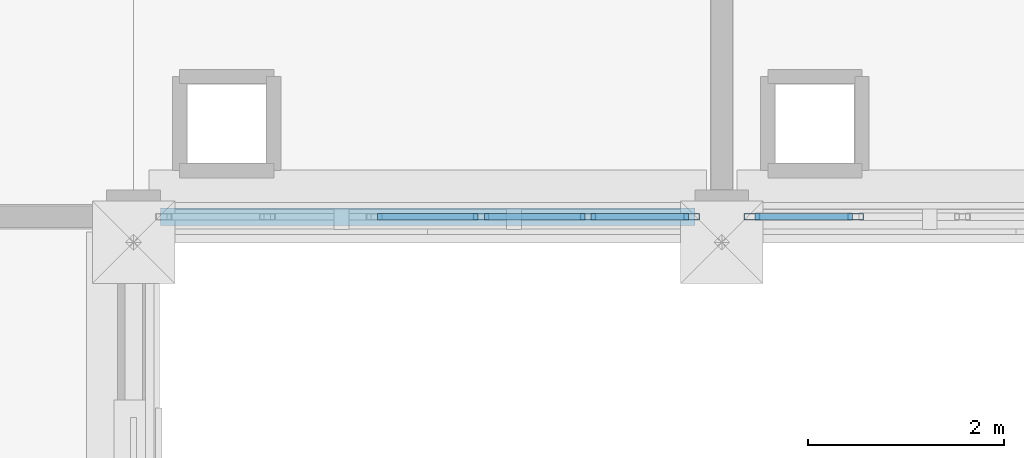
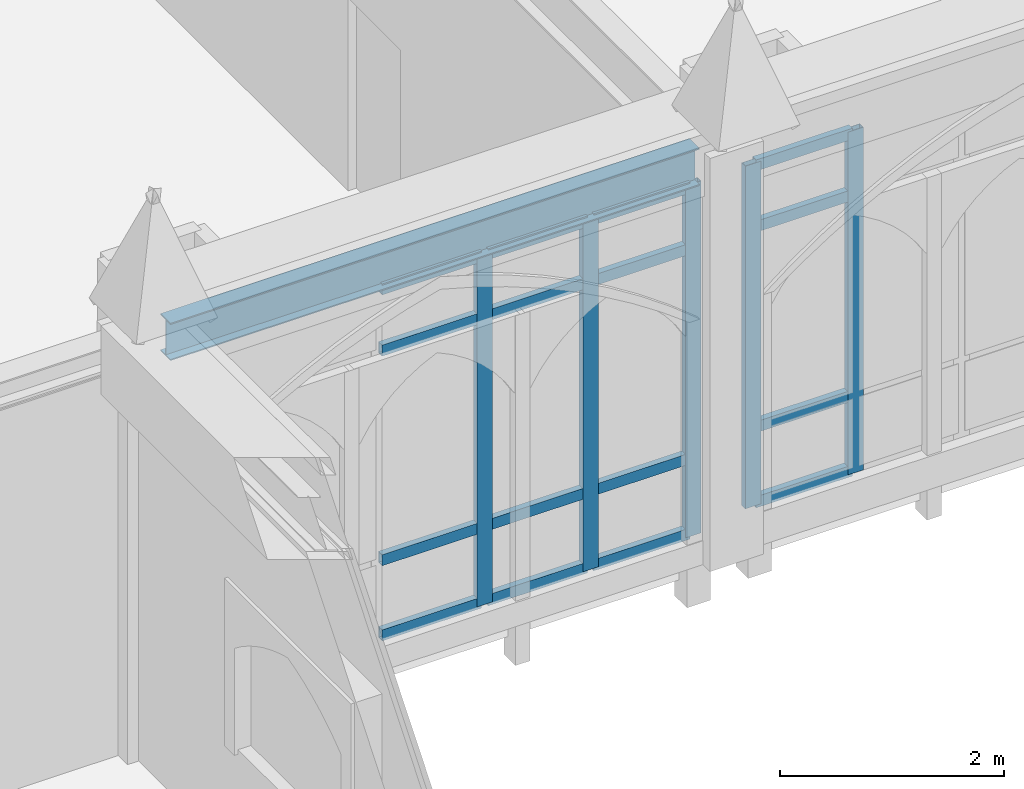
# One storey, part 39 of 108: 21 members, 1 beam, 2 elements without a shape of their own.
"""IFC4 building model written with IfcOpenShell, lengths in metres."""

from ifc_helpers import new_model, si_unit, direction, frame, origin, origin_2d, place, context, subcontext, project, spatial, hollow_rectangle, i_section, extrude, material, layer, layer_set, material_profile, profile_set, type_object, element, aggregate, save


model = new_model("IFC4")

# Units and contexts
model_context = context("Model", 3, precision=1e-05, world=origin(), true_north=direction((0.0, 1.0)))
body_context = subcontext(model_context, "Body", "Model", "MODEL_VIEW")
ifc_project = project(units=[si_unit("LENGTHUNIT", "METRE"), si_unit("AREAUNIT", "SQUARE_METRE"), si_unit("VOLUMEUNIT", "CUBIC_METRE"), si_unit("PLANEANGLEUNIT", "RADIAN"), si_unit("MASSUNIT", "GRAM", prefix="KILO")], contexts=[model_context])

# Site, building, storey
site_placement = place(None, origin())
site = spatial("IfcSite", under=ifc_project, at=site_placement, CompositionType="ELEMENT")
building_placement = place(site_placement, origin())
building = spatial("IfcBuilding", under=site, at=building_placement, Name="Cumevento Cable Car Station", CompositionType="ELEMENT")
storey_placement = place(building_placement, frame((0.0, 0.0, 13.5)))
storey = spatial("IfcBuildingStorey", under=building, at=storey_placement, Name="L04", CompositionType="ELEMENT", Elevation=13.5)

# Curtain wall, members
ifc_material_1 = material(Name="Anodised Bronze Aluminium AW-6063-T6", Category="aluminium")
ifc_layer_1 = layer(ifc_material_1, 0.172119140625)
ifc_layer_set_1 = layer_set([ifc_layer_1], Name="Anodised Bronze Aluminium AW-6063-T6")
curtain_wall_type_1 = type_object("IfcCurtainWallType", Name="Lancet Curtain Wall CW-03 1130", PredefinedType="NOTDEFINED", material=ifc_layer_set_1)
curtain_wall_1_placement = place(storey_placement, origin())
curtain_wall_1 = element("IfcCurtainWall", 1, at=curtain_wall_1_placement, inside=storey, type_object=curtain_wall_type_1, Name="Lancet Curtain Wall CW-03 L04 #178", PredefinedType="NOTDEFINED")
ifc_material_2 = material(Name="Anodised Bronze Aluminium AW-6063-T6", Category="aluminium")
ifc_material_profile_1 = material_profile(ifc_material_2, hollow_rectangle(XDim=0.06494140625, YDim=0.159912109375, WallThickness=0.00390625, at=origin_2d()), Name="ALUM65x160x4")
ifc_profile_set_1 = profile_set([ifc_material_profile_1], Name="Anodised Bronze Aluminium AW-6063-T6")
member_type_1 = type_object("IfcMemberType", Name="Curtain Mullion CWM-01 ALUM65x160x4", PredefinedType="MULLION", material=ifc_profile_set_1)
member_1_placement = place(storey_placement, frame((135.6923828125, 33.0, 0.260009765625), z_axis=(0.0, 0.0, 1.0), x_axis=(0.0, -1.0, 0.0)))
member_1 = element("IfcMember", 2, at=member_1_placement, type_object=member_type_1, Name="CW-03 mullion 1", PredefinedType="MULLION", context=body_context, shape_type="SweptSolid", body=[
    extrude(hollow_rectangle(XDim=0.06494140625, YDim=0.159912109375, WallThickness=0.00390625, at=origin_2d()), origin(), (0.0, 0.0, 1.0), 3.8330078125),
])
member_2_placement = place(storey_placement, frame((134.635009765625, 33.0, 0.260009765625), z_axis=(0.0, 0.0, 1.0), x_axis=(0.0, -1.0, 0.0)))
member_2 = element("IfcMember", 3, at=member_2_placement, type_object=member_type_1, Name="CW-03 mullion 2", PredefinedType="MULLION", context=body_context, shape_type="SweptSolid", body=[
    extrude(hollow_rectangle(XDim=0.06494140625, YDim=0.159912109375, WallThickness=0.00390625, at=origin_2d()), origin(), (0.0, 0.0, 1.0), 3.8330078125),
])
member_3_placement = place(storey_placement, frame((133.544921875, 33.0, 0.260009765625), z_axis=(0.0, 0.0, 1.0), x_axis=(0.0, -1.0, 0.0)))
member_3 = element("IfcMember", 4, at=member_3_placement, type_object=member_type_1, Name="CW-03 mullion 3", PredefinedType="MULLION", context=body_context, shape_type="SweptSolid", body=[
    extrude(hollow_rectangle(XDim=0.06494140625, YDim=0.159912109375, WallThickness=0.00390625, at=origin_2d()), origin(), (0.0, 0.0, 1.0), 3.8330078125),
])

ifc_material_3 = material(Name="Anodised Bronze Aluminium AW-6063-T6", Category="aluminium")
ifc_layer_2 = layer(ifc_material_3, 0.18408203125)
ifc_layer_set_2 = layer_set([ifc_layer_2], Name="Anodised Bronze Aluminium AW-6063-T6")
curtain_wall_type_2 = type_object("IfcCurtainWallType", Name="Lancet Curtain Wall CW-05 1210", PredefinedType="NOTDEFINED", material=ifc_layer_set_2)
curtain_wall_2_placement = place(storey_placement, origin())
curtain_wall_2 = element("IfcCurtainWall", 5, at=curtain_wall_2_placement, inside=storey, type_object=curtain_wall_type_2, Name="Lancet Curtain Wall CW-05 L04 #180", PredefinedType="NOTDEFINED")
member_4_placement = place(storey_placement, frame((137.364990234375, 33.0, 0.360107421875), z_axis=(0.0, 0.0, 1.0), x_axis=(0.0, -1.0, 0.0)))
member_4 = element("IfcMember", 6, at=member_4_placement, type_object=member_type_1, Name="CW-05 mullion 5", PredefinedType="MULLION", context=body_context, shape_type="SweptSolid", body=[
    extrude(hollow_rectangle(XDim=0.06494140625, YDim=0.159912109375, WallThickness=0.00390625, at=origin_2d()), origin(), (0.0, 0.0, 1.0), 3.73291015625),
])
member_5_placement = place(storey_placement, frame((136.3076171875, 33.0, 0.360107421875), z_axis=(0.0, 0.0, 1.0), x_axis=(0.0, -1.0, 0.0)))
member_5 = element("IfcMember", 7, at=member_5_placement, type_object=member_type_1, Name="CW-05 mullion 6", PredefinedType="MULLION", context=body_context, shape_type="SweptSolid", body=[
    extrude(hollow_rectangle(XDim=0.06494140625, YDim=0.159912109375, WallThickness=0.00390625, at=origin_2d()), origin(), (0.0, 0.0, 1.0), 3.73291015625),
])

# Member
ifc_material_4 = material(Name="Anodised Bronze Aluminium AW-6063-T6", Category="aluminium")
ifc_material_profile_2 = material_profile(ifc_material_4, hollow_rectangle(XDim=0.06494140625, YDim=0.1201171875, WallThickness=0.00390625, at=origin_2d()), Name="ALUT65x120x4")
ifc_profile_set_2 = profile_set([ifc_material_profile_2], Name="Anodised Bronze Aluminium AW-6063-T6")
member_type_2 = type_object("IfcMemberType", Name="Curtain Transom CWT-01 ALUT65x120x4", PredefinedType="USERDEFINED", material=ifc_profile_set_2)
member_6_placement = place(storey_placement, frame((135.659912109375, 33.0, 0.29248046875), z_axis=(-1.0, 0.0, 0.0), x_axis=(0.0, -1.0, 0.0)))
member_6 = element("IfcMember", 8, at=member_6_placement, type_object=member_type_2, Name="CW-03 transom 1.1", ObjectType="TRANSOM", PredefinedType="USERDEFINED", context=body_context, shape_type="SweptSolid", body=[
    extrude(hollow_rectangle(XDim=0.06494140625, YDim=0.1201171875, WallThickness=0.00390625, at=origin_2d()), origin(), (0.0, 0.0, 1.0), 0.992431640625),
])

member_7_placement = place(storey_placement, frame((135.659912109375, 33.0, 1.110107421875), z_axis=(-1.0, 0.0, 0.0), x_axis=(0.0, -1.0, 0.0)))
member_7 = element("IfcMember", 9, at=member_7_placement, type_object=member_type_2, Name="CW-03 transom 1.2", ObjectType="TRANSOM", PredefinedType="USERDEFINED", context=body_context, shape_type="SweptSolid", body=[
    extrude(hollow_rectangle(XDim=0.06494140625, YDim=0.1201171875, WallThickness=0.00390625, at=origin_2d()), origin(), (0.0, 0.0, 1.0), 0.992431640625),
])

member_8_placement = place(storey_placement, frame((135.659912109375, 33.0, 3.39306640625), z_axis=(-1.0, 0.0, 0.0), x_axis=(0.0, -1.0, 0.0)))
member_8 = element("IfcMember", 10, at=member_8_placement, type_object=member_type_2, Name="CW-03 transom 1.3", ObjectType="TRANSOM", PredefinedType="USERDEFINED", context=body_context, shape_type="SweptSolid", body=[
    extrude(hollow_rectangle(XDim=0.06494140625, YDim=0.1201171875, WallThickness=0.00390625, at=origin_2d()), origin(), (0.0, 0.0, 1.0), 0.992431640625),
])

member_9_placement = place(storey_placement, frame((135.659912109375, 33.0, 4.060546875), z_axis=(-1.0, 0.0, 0.0), x_axis=(0.0, -1.0, 0.0)))
member_9 = element("IfcMember", 11, at=member_9_placement, type_object=member_type_2, Name="CW-03 transom 1.4", ObjectType="TRANSOM", PredefinedType="USERDEFINED", context=body_context, shape_type="SweptSolid", body=[
    extrude(hollow_rectangle(XDim=0.06494140625, YDim=0.1201171875, WallThickness=0.00390625, at=origin_2d()), origin(), (0.0, 0.0, 1.0), 0.992431640625),
])

member_10_placement = place(storey_placement, frame((134.6025390625, 33.0, 0.29248046875), z_axis=(-1.0, 0.0, 0.0), x_axis=(0.0, -1.0, 0.0)))
member_10 = element("IfcMember", 12, at=member_10_placement, type_object=member_type_2, Name="CW-03 transom 2.1", ObjectType="TRANSOM", PredefinedType="USERDEFINED", context=body_context, shape_type="SweptSolid", body=[
    extrude(hollow_rectangle(XDim=0.06494140625, YDim=0.1201171875, WallThickness=0.00390625, at=origin_2d()), origin(), (0.0, 0.0, 1.0), 1.025146484375),
])

member_11_placement = place(storey_placement, frame((134.6025390625, 33.0, 1.110107421875), z_axis=(-1.0, 0.0, 0.0), x_axis=(0.0, -1.0, 0.0)))
member_11 = element("IfcMember", 13, at=member_11_placement, type_object=member_type_2, Name="CW-03 transom 2.2", ObjectType="TRANSOM", PredefinedType="USERDEFINED", context=body_context, shape_type="SweptSolid", body=[
    extrude(hollow_rectangle(XDim=0.06494140625, YDim=0.1201171875, WallThickness=0.00390625, at=origin_2d()), origin(), (0.0, 0.0, 1.0), 1.025146484375),
])

member_12_placement = place(storey_placement, frame((134.6025390625, 33.0, 3.39306640625), z_axis=(-1.0, 0.0, 0.0), x_axis=(0.0, -1.0, 0.0)))
member_12 = element("IfcMember", 14, at=member_12_placement, type_object=member_type_2, Name="CW-03 transom 2.3", ObjectType="TRANSOM", PredefinedType="USERDEFINED", context=body_context, shape_type="SweptSolid", body=[
    extrude(hollow_rectangle(XDim=0.06494140625, YDim=0.1201171875, WallThickness=0.00390625, at=origin_2d()), origin(), (0.0, 0.0, 1.0), 1.025146484375),
])

member_13_placement = place(storey_placement, frame((134.6025390625, 33.0, 4.060546875), z_axis=(-1.0, 0.0, 0.0), x_axis=(0.0, -1.0, 0.0)))
member_13 = element("IfcMember", 15, at=member_13_placement, type_object=member_type_2, Name="CW-03 transom 2.4", ObjectType="TRANSOM", PredefinedType="USERDEFINED", context=body_context, shape_type="SweptSolid", body=[
    extrude(hollow_rectangle(XDim=0.06494140625, YDim=0.1201171875, WallThickness=0.00390625, at=origin_2d()), origin(), (0.0, 0.0, 1.0), 1.025146484375),
])

member_14_placement = place(storey_placement, frame((133.512451171875, 33.0, 0.29248046875), z_axis=(-1.0, 0.0, 0.0), x_axis=(0.0, -1.0, 0.0)))
member_14 = element("IfcMember", 16, at=member_14_placement, type_object=member_type_2, Name="CW-03 transom 3.1", ObjectType="TRANSOM", PredefinedType="USERDEFINED", context=body_context, shape_type="SweptSolid", body=[
    extrude(hollow_rectangle(XDim=0.06494140625, YDim=0.1201171875, WallThickness=0.00390625, at=origin_2d()), origin(), (0.0, 0.0, 1.0), 1.02490234375),
])

member_15_placement = place(storey_placement, frame((133.512451171875, 33.0, 1.110107421875), z_axis=(-1.0, 0.0, 0.0), x_axis=(0.0, -1.0, 0.0)))
member_15 = element("IfcMember", 17, at=member_15_placement, type_object=member_type_2, Name="CW-03 transom 3.2", ObjectType="TRANSOM", PredefinedType="USERDEFINED", context=body_context, shape_type="SweptSolid", body=[
    extrude(hollow_rectangle(XDim=0.06494140625, YDim=0.1201171875, WallThickness=0.00390625, at=origin_2d()), origin(), (0.0, 0.0, 1.0), 1.02490234375),
])

member_16_placement = place(storey_placement, frame((133.512451171875, 33.0, 3.39306640625), z_axis=(-1.0, 0.0, 0.0), x_axis=(0.0, -1.0, 0.0)))
member_16 = element("IfcMember", 18, at=member_16_placement, type_object=member_type_2, Name="CW-03 transom 3.3", ObjectType="TRANSOM", PredefinedType="USERDEFINED", context=body_context, shape_type="SweptSolid", body=[
    extrude(hollow_rectangle(XDim=0.06494140625, YDim=0.1201171875, WallThickness=0.00390625, at=origin_2d()), origin(), (0.0, 0.0, 1.0), 1.02490234375),
])

member_17_placement = place(storey_placement, frame((133.512451171875, 33.0, 4.060546875), z_axis=(-1.0, 0.0, 0.0), x_axis=(0.0, -1.0, 0.0)))
member_17 = element("IfcMember", 19, at=member_17_placement, type_object=member_type_2, Name="CW-03 transom 3.4", ObjectType="TRANSOM", PredefinedType="USERDEFINED", context=body_context, shape_type="SweptSolid", body=[
    extrude(hollow_rectangle(XDim=0.06494140625, YDim=0.1201171875, WallThickness=0.00390625, at=origin_2d()), origin(), (0.0, 0.0, 1.0), 1.02490234375),
])

aggregate(curtain_wall_1, [member_1, member_2, member_3, member_6, member_7, member_8, member_9, member_10, member_11, member_12, member_13, member_14, member_15, member_16, member_17])

member_18_placement = place(storey_placement, frame((137.33251953125, 33.0, 0.392578125), z_axis=(-1.0, 0.0, 0.0), x_axis=(0.0, -1.0, 0.0)))
member_18 = element("IfcMember", 20, at=member_18_placement, type_object=member_type_2, Name="CW-05 transom 5.1", ObjectType="TRANSOM", PredefinedType="USERDEFINED", context=body_context, shape_type="SweptSolid", body=[
    extrude(hollow_rectangle(XDim=0.06494140625, YDim=0.1201171875, WallThickness=0.00390625, at=origin_2d()), origin(), (0.0, 0.0, 1.0), 0.992431640625),
])

member_19_placement = place(storey_placement, frame((137.33251953125, 33.0, 1.2099609375), z_axis=(-1.0, 0.0, 0.0), x_axis=(0.0, -1.0, 0.0)))
member_19 = element("IfcMember", 21, at=member_19_placement, type_object=member_type_2, Name="CW-05 transom 5.2", ObjectType="TRANSOM", PredefinedType="USERDEFINED", context=body_context, shape_type="SweptSolid", body=[
    extrude(hollow_rectangle(XDim=0.06494140625, YDim=0.1201171875, WallThickness=0.00390625, at=origin_2d()), origin(), (0.0, 0.0, 1.0), 0.992431640625),
])

member_20_placement = place(storey_placement, frame((137.33251953125, 33.0, 3.39306640625), z_axis=(-1.0, 0.0, 0.0), x_axis=(0.0, -1.0, 0.0)))
member_20 = element("IfcMember", 22, at=member_20_placement, type_object=member_type_2, Name="CW-05 transom 5.3", ObjectType="TRANSOM", PredefinedType="USERDEFINED", context=body_context, shape_type="SweptSolid", body=[
    extrude(hollow_rectangle(XDim=0.06494140625, YDim=0.1201171875, WallThickness=0.00390625, at=origin_2d()), origin(), (0.0, 0.0, 1.0), 0.992431640625),
])

member_21_placement = place(storey_placement, frame((137.33251953125, 33.0, 4.060546875), z_axis=(-1.0, 0.0, 0.0), x_axis=(0.0, -1.0, 0.0)))
member_21 = element("IfcMember", 23, at=member_21_placement, type_object=member_type_2, Name="CW-05 transom 5.4", ObjectType="TRANSOM", PredefinedType="USERDEFINED", context=body_context, shape_type="SweptSolid", body=[
    extrude(hollow_rectangle(XDim=0.06494140625, YDim=0.1201171875, WallThickness=0.00390625, at=origin_2d()), origin(), (0.0, 0.0, 1.0), 0.992431640625),
])

aggregate(curtain_wall_2, [member_4, member_5, member_18, member_19, member_20, member_21])

# Beam
ifc_material_5 = material(Name="Steel ASTM A572 Grade 50", Category="steel")
ifc_material_profile_3 = material_profile(ifc_material_5, i_section(OverallWidth=0.177978515625, OverallDepth=0.406982421875, WebThickness=0.0078125, FlangeThickness=0.0126953125, at=origin_2d()), Name="W410x60.0")
ifc_profile_set_3 = profile_set([ifc_material_profile_3], Name="Steel ASTM A572 Grade 50")
beam_type = type_object("IfcBeamType", Name="Structural Spandrel SP-01 W410x60.0", PredefinedType="SPANDREL", material=ifc_profile_set_3)
beam_placement = place(storey_placement, frame((130.27490234375, 33.0, 4.29638671875), z_axis=(1.0, 0.0, 0.0), x_axis=(0.0, 1.0, 0.0)))
element("IfcBeam", 24, at=beam_placement, inside=storey, type_object=beam_type, Name="Beam SP-01 L04 #1463", PredefinedType="SPANDREL", context=body_context, shape_type="SweptSolid", body=[
    extrude(i_section(OverallWidth=0.177978515625, OverallDepth=0.406982421875, WebThickness=0.0078125, FlangeThickness=0.0126953125, at=origin_2d()), origin(), (0.0, 0.0, 1.0), 5.4501953125),
])

save(model, "model.ifc")
